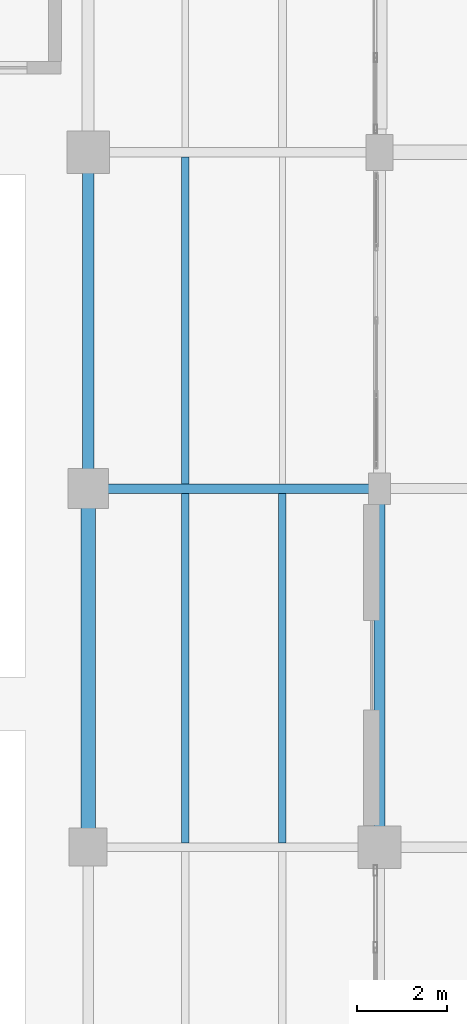
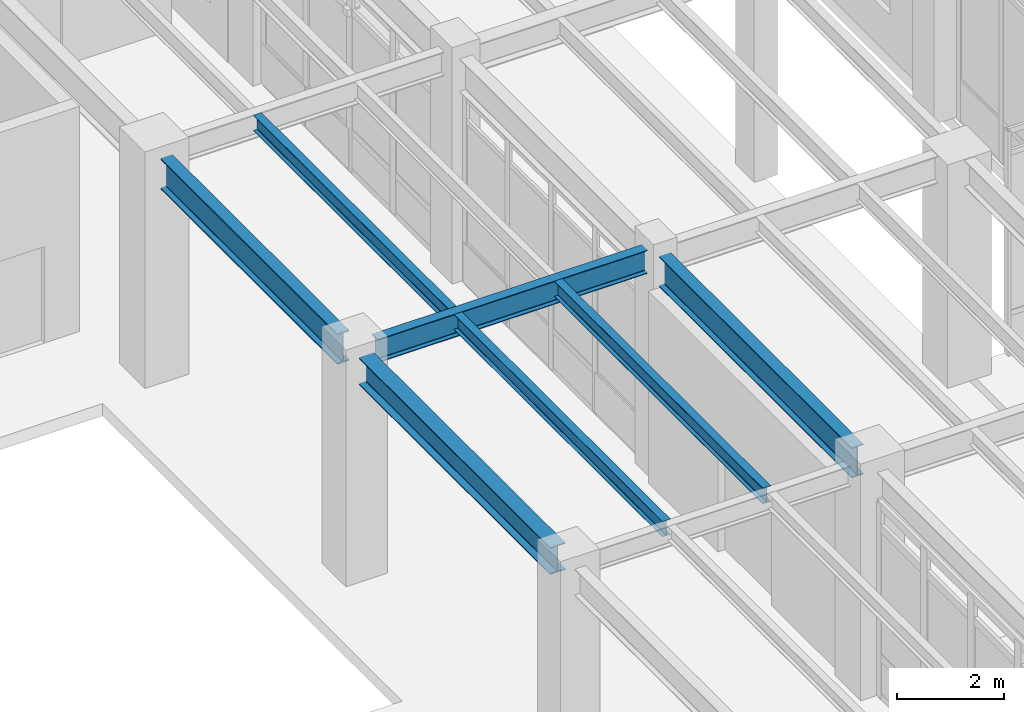
# One storey, part 113 of 203: 7 beams.
"""IFC4 building model written with IfcOpenShell, lengths in metres."""

from ifc_helpers import new_model, si_unit, direction, frame, origin, origin_2d, place, context, subcontext, project, spatial, i_section, extrude, material, material_profile, profile_set, type_object, element, save


model = new_model("IFC4")

# Units and contexts
model_context = context("Model", 3, precision=1e-05, world=origin(), true_north=direction((0.0, 1.0)))
body_context = subcontext(model_context, "Body", "Model", "MODEL_VIEW")
ifc_project = project(units=[si_unit("LENGTHUNIT", "METRE"), si_unit("AREAUNIT", "SQUARE_METRE"), si_unit("VOLUMEUNIT", "CUBIC_METRE"), si_unit("PLANEANGLEUNIT", "RADIAN"), si_unit("MASSUNIT", "GRAM", prefix="KILO"), si_unit("THERMODYNAMICTEMPERATUREUNIT", "KELVIN"), si_unit("POWERUNIT", "WATT")], contexts=[model_context])

# Site, building, storey
site_placement = place(None, origin())
site = spatial("IfcSite", under=ifc_project, at=site_placement, CompositionType="ELEMENT")
building_placement = place(site_placement, origin())
building = spatial("IfcBuilding", under=site, at=building_placement, Name="Tepalcoro Natatorium and Aquatics Centre", CompositionType="ELEMENT")
storey_placement = place(building_placement, origin())
storey = spatial("IfcBuildingStorey", under=building, at=storey_placement, Name="L00", CompositionType="ELEMENT", Elevation=0.0)

# Beams
ifc_material = material(Name="Steel ASTM A992 Grade 50 (Fy 345 MPa)", Category="steel")
ifc_material_profile_1 = material_profile(ifc_material, i_section(OverallWidth=0.2099609375, OverallDepth=0.532958984375, WebThickness=0.010009765625, FlangeThickness=0.01611328125, FilletRadius=0.013916015625, at=origin_2d()), Name="W21X62")
ifc_profile_set_1 = profile_set([ifc_material_profile_1], Name="Steel ASTM A992 Grade 50 (Fy 345 MPa)")
beam_type_1 = type_object("IfcBeamType", Name="BM_W21x62", PredefinedType="BEAM", material=ifc_profile_set_1)
beam_1_placement = place(storey_placement, frame((125.43505859375, 44.0, 4.8583984375), z_axis=(1.0, 0.0, 0.0), x_axis=(0.0, 1.0, 0.0)))
element("IfcBeam", 1, at=beam_1_placement, inside=storey, type_object=beam_type_1, Name="V1 L00 Grid Girder X", PredefinedType="BEAM", context=body_context, shape_type="SweptSolid", body=[
    extrude(i_section(OverallWidth=0.2099609375, OverallDepth=0.532958984375, WebThickness=0.010009765625, FlangeThickness=0.01611328125, FilletRadius=0.013916015625, at=origin_2d()), origin(), (0.0, 0.0, 1.0), 5.829833984375),
])
ifc_material_profile_2 = material_profile(ifc_material, i_section(OverallWidth=0.324951171875, OverallDepth=0.616943359375, WebThickness=0.013916015625, FlangeThickness=0.02197265625, FilletRadius=0.013916015625, at=origin_2d()), Name="W24X117")
ifc_profile_set_2 = profile_set([ifc_material_profile_2], Name="Steel ASTM A992 Grade 50 (Fy 345 MPa)")
beam_type_2 = type_object("IfcBeamType", Name="BM_W24x117", PredefinedType="BEAM", material=ifc_profile_set_2)
beam_2_placement = place(storey_placement, frame((125.0, 36.409912109375, 4.81640625), z_axis=(0.0, 1.0, 0.0), x_axis=(-1.0, 0.0, 0.0)))
element("IfcBeam", 2, at=beam_2_placement, inside=storey, type_object=beam_type_2, Name="V1 L00 Grid Girder Y", PredefinedType="BEAM", context=body_context, shape_type="SweptSolid", body=[
    extrude(i_section(OverallWidth=0.324951171875, OverallDepth=0.616943359375, WebThickness=0.013916015625, FlangeThickness=0.02197265625, FilletRadius=0.013916015625, at=origin_2d()), origin(), (0.0, 0.0, 1.0), 7.155029296875),
])
ifc_material_profile_3 = material_profile(ifc_material, i_section(OverallWidth=0.25390625, OverallDepth=0.68798828125, WebThickness=0.012939453125, FlangeThickness=0.02099609375, FilletRadius=0.013916015625, at=origin_2d()), Name="W27X102")
ifc_profile_set_3 = profile_set([ifc_material_profile_3], Name="Steel ASTM A992 Grade 50 (Fy 345 MPa)")
beam_type_3 = type_object("IfcBeamType", Name="BM_W27x102", PredefinedType="BEAM", material=ifc_profile_set_3)
beam_3_placement = place(storey_placement, frame((131.5, 36.4599609375, 4.740966796875), z_axis=(0.0, 1.0, 0.0), x_axis=(-1.0, 0.0, 0.0)))
element("IfcBeam", 3, at=beam_3_placement, inside=storey, type_object=beam_type_3, Name="V1 L00 Grid Girder Y", PredefinedType="BEAM", context=body_context, shape_type="SweptSolid", body=[
    extrude(i_section(OverallWidth=0.25390625, OverallDepth=0.68798828125, WebThickness=0.012939453125, FlangeThickness=0.02099609375, FilletRadius=0.013916015625, at=origin_2d()), origin(), (0.0, 0.0, 1.0), 7.205078125),
])
ifc_material_profile_4 = material_profile(ifc_material, i_section(OverallWidth=0.25390625, OverallDepth=0.700927734375, WebThickness=0.014892578125, FlangeThickness=0.028076171875, FilletRadius=0.013916015625, at=origin_2d()), Name="W27X129")
ifc_profile_set_4 = profile_set([ifc_material_profile_4], Name="Steel ASTM A992 Grade 50 (Fy 345 MPa)")
beam_type_4 = type_object("IfcBeamType", Name="BM_W27x129", PredefinedType="BEAM", material=ifc_profile_set_4)
beam_4_placement = place(storey_placement, frame((125.0, 44.43505859375, 4.7744140625), z_axis=(0.0, 1.0, 0.0), x_axis=(-1.0, 0.0, 0.0)))
element("IfcBeam", 4, at=beam_4_placement, inside=storey, type_object=beam_type_4, Name="V1 L00 Grid Girder Y", PredefinedType="BEAM", context=body_context, shape_type="SweptSolid", body=[
    extrude(i_section(OverallWidth=0.25390625, OverallDepth=0.700927734375, WebThickness=0.014892578125, FlangeThickness=0.028076171875, FilletRadius=0.013916015625, at=origin_2d()), origin(), (0.0, 0.0, 1.0), 6.60498046875),
])
ifc_material_profile_5 = material_profile(ifc_material, i_section(OverallWidth=0.1708984375, OverallDepth=0.35107421875, WebThickness=0.007080078125, FlangeThickness=0.010009765625, FilletRadius=0.013916015625, at=origin_2d()), Name="W14X30")
ifc_profile_set_5 = profile_set([ifc_material_profile_5], Name="Steel ASTM A992 Grade 50 (Fy 345 MPa)")
beam_type_5 = type_object("IfcBeamType", Name="JS_W14x30", PredefinedType="JOIST", material=ifc_profile_set_5)
beam_5_placement = place(storey_placement, frame((127.166748046875, 36.096435546875, 4.949462890625), z_axis=(0.0, 1.0, 0.0), x_axis=(-1.0, 0.0, 0.0)))
element("IfcBeam", 5, at=beam_5_placement, inside=storey, type_object=beam_type_5, Name="V1 L00 Floor Joist", PredefinedType="JOIST", context=body_context, shape_type="SweptSolid", body=[
    extrude(i_section(OverallWidth=0.1708984375, OverallDepth=0.35107421875, WebThickness=0.007080078125, FlangeThickness=0.010009765625, FilletRadius=0.013916015625, at=origin_2d()), origin(), (0.0, 0.0, 1.0), 7.798583984375),
])
ifc_material_profile_6 = material_profile(ifc_material, i_section(OverallWidth=0.172119140625, OverallDepth=0.35791015625, WebThickness=0.008056640625, FlangeThickness=0.012939453125, FilletRadius=0.013916015625, at=origin_2d()), Name="W14X38")
ifc_profile_set_6 = profile_set([ifc_material_profile_6], Name="Steel ASTM A992 Grade 50 (Fy 345 MPa)")
beam_type_6 = type_object("IfcBeamType", Name="JS_W14x38", PredefinedType="JOIST", material=ifc_profile_set_6)
beam_6_placement = place(storey_placement, frame((129.333251953125, 36.096435546875, 4.946044921875), z_axis=(0.0, 1.0, 0.0), x_axis=(-1.0, 0.0, 0.0)))
element("IfcBeam", 6, at=beam_6_placement, inside=storey, type_object=beam_type_6, Name="V1 L00 Floor Joist", PredefinedType="JOIST", context=body_context, shape_type="SweptSolid", body=[
    extrude(i_section(OverallWidth=0.172119140625, OverallDepth=0.35791015625, WebThickness=0.008056640625, FlangeThickness=0.012939453125, FilletRadius=0.013916015625, at=origin_2d()), origin(), (0.0, 0.0, 1.0), 7.798583984375),
])
beam_7_placement = place(storey_placement, frame((127.166748046875, 44.10498046875, 4.946044921875), z_axis=(0.0, 1.0, 0.0), x_axis=(-1.0, 0.0, 0.0)))
element("IfcBeam", 7, at=beam_7_placement, inside=storey, type_object=beam_type_6, Name="V1 L00 Floor Joist", PredefinedType="JOIST", context=body_context, shape_type="SweptSolid", body=[
    extrude(i_section(OverallWidth=0.172119140625, OverallDepth=0.35791015625, WebThickness=0.008056640625, FlangeThickness=0.012939453125, FilletRadius=0.013916015625, at=origin_2d()), origin(), (0.0, 0.0, 1.0), 7.2890625),
])

save(model, "model.ifc")
